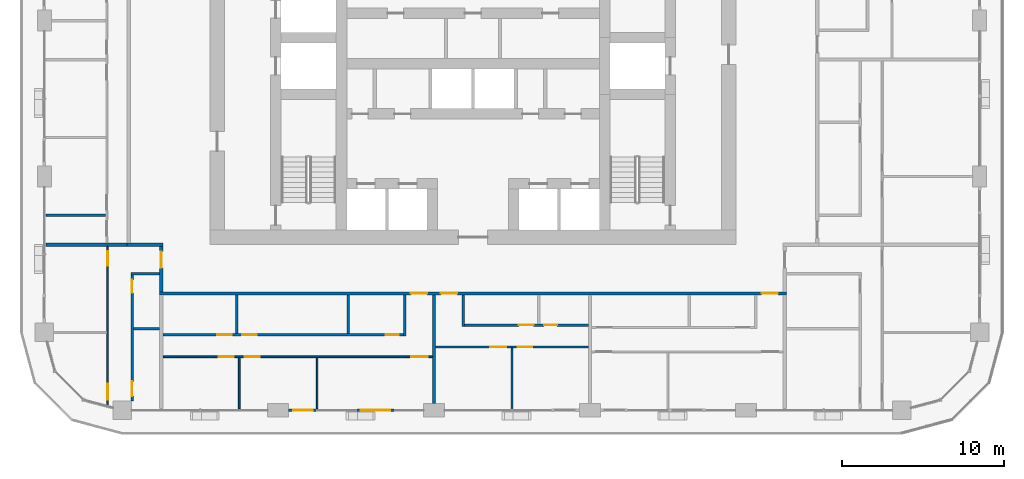
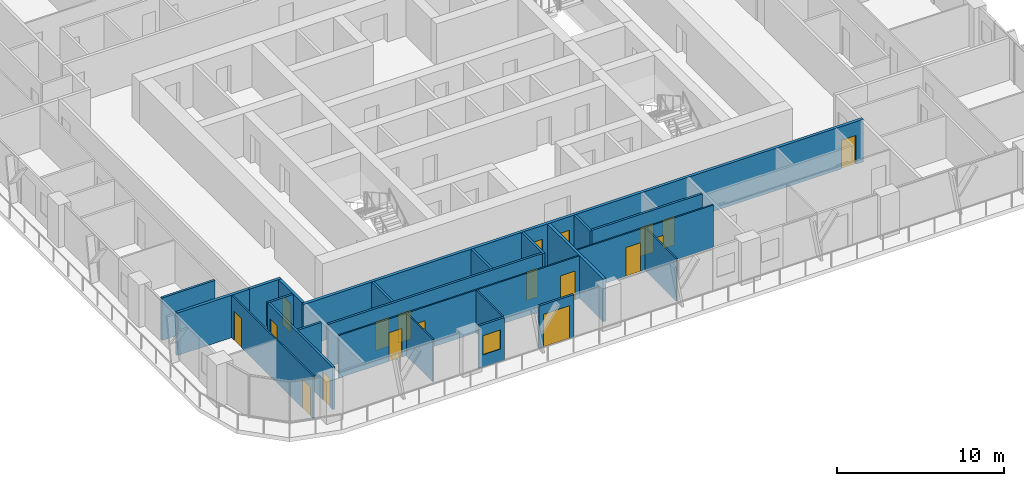
# One storey, part 9 of 21: 23 walls, 19 doors, 1 window, 20 openings.
"""IFC4 building model written with IfcOpenShell, lengths in metres."""

from ifc_helpers import new_model, si_unit, direction, frame, frame_2d, origin, place, context, subcontext, project, spatial, rectangle, extrude, material, layer, layer_set, type_object, element, fill, save


model = new_model("IFC4")

# Units and contexts
model_context = context("Model", 3, precision=1e-05, world=origin(), true_north=direction((0.0, 1.0)))
body_context = subcontext(model_context, "Body", "Model", "MODEL_VIEW")
ifc_project = project(units=[si_unit("LENGTHUNIT", "METRE"), si_unit("AREAUNIT", "SQUARE_METRE"), si_unit("VOLUMEUNIT", "CUBIC_METRE"), si_unit("PLANEANGLEUNIT", "RADIAN"), si_unit("MASSUNIT", "GRAM", prefix="KILO")], contexts=[model_context])

# Site, building, storey
site_placement = place(None, origin())
site = spatial("IfcSite", under=ifc_project, at=site_placement, CompositionType="ELEMENT")
building_placement = place(site_placement, origin())
building = spatial("IfcBuilding", under=site, at=building_placement, Name="Madar Terraces", CompositionType="ELEMENT")
storey_placement = place(building_placement, frame((0.0, 0.0, 110.199951171875)))
storey = spatial("IfcBuildingStorey", under=building, at=storey_placement, Name="L28", CompositionType="ELEMENT", Elevation=110.199951171875)

# Wall, opening, window
ifc_material_1 = material(Name="Aluminium composite panel, black, over insulated backing", Category="aluminium")
ifc_layer_1 = layer(ifc_material_1, 0.14990234375)
ifc_layer_set_1 = layer_set([ifc_layer_1], Name="Facade bay panel 150")
wall_type_1 = type_object("IfcWallType", Name="Facade bay panel 150", PredefinedType="SOLIDWALL", material=ifc_layer_set_1)
wall_1_placement = place(storey_placement, frame((19.85009765625, 4.800048828125, 0.0), z_axis=(0.0, 0.0, 1.0), x_axis=(1.0, 0.0, 0.0)))
wall_1 = element("IfcWall", 1, at=wall_1_placement, inside=storey, type_object=wall_type_1, Name="Facade bay panel", PredefinedType="SOLIDWALL", context=body_context, shape_type="SweptSolid", body=[
    extrude(rectangle(XDim=1.75, YDim=0.14990234375, at=frame_2d((0.875, 0.0))), origin(), (0.0, 0.0, 1.0), 3.10009765625),
])
opening_1_placement = place(wall_1_placement, frame((0.27490234375, 0.0, 0.89990234375)))
opening_1 = element("IfcOpeningElement", 2, at=opening_1_placement, cuts=wall_1, Name="Opening W1", PredefinedType="OPENING", context=body_context, shape_type="SweptSolid", body=[
    extrude(rectangle(XDim=1.199951171875, YDim=1.39990234375, at=frame_2d((0.60009765625, 0.699951171875))), frame((0.0, 0.0849609375, 0.0), z_axis=(0.0, -1.0, 0.0), x_axis=(1.0, 0.0, 0.0)), (0.0, 0.0, 1.0), 0.169921875),
])
ifc_material_2 = material(Name="Glass, clear, with black aluminium frame", Category="aluminium")
window_type = type_object("IfcWindowType", Name="Vent window 1200 x 1400", PartitioningType="SINGLE_PANEL", PredefinedType="WINDOW", material=ifc_material_2)
window_placement = place(opening_1_placement, origin())
window = element("IfcWindow", 3, at=window_placement, inside=storey, type_object=window_type, Name="Operable vent window", OverallHeight=1.39990234375, OverallWidth=1.199951171875, PartitioningType="SINGLE_PANEL", PredefinedType="WINDOW", context=body_context, shape_type="SweptSolid", body=[
    extrude(rectangle(XDim=1.199951171875, YDim=1.39990234375, at=frame_2d((0.60009765625, 0.699951171875))), frame((0.0, 0.030029296875, 0.0), z_axis=(0.0, -1.0, 0.0), x_axis=(1.0, 0.0, 0.0)), (0.0, 0.0, 1.0), 0.06005859375),
])
fill(opening_1, window)

# Wall, opening, door
wall_2_placement = place(storey_placement, frame((24.0, 4.800048828125, 0.0), z_axis=(0.0, 0.0, 1.0), x_axis=(1.0, 0.0, 0.0)))
wall_2 = element("IfcWall", 4, at=wall_2_placement, inside=storey, type_object=wall_type_1, Name="Facade bay panel", PredefinedType="SOLIDWALL", context=body_context, shape_type="SweptSolid", body=[
    extrude(rectangle(XDim=2.39990234375, YDim=0.14990234375, at=frame_2d((1.199951171875, 0.0))), origin(), (0.0, 0.0, 1.0), 3.10009765625),
])
opening_2_placement = place(wall_2_placement, frame((0.300048828125, 0.0, 0.0)))
opening_2 = element("IfcOpeningElement", 5, at=opening_2_placement, cuts=wall_2, Name="Opening ED1", PredefinedType="OPENING", context=body_context, shape_type="SweptSolid", body=[
    extrude(rectangle(XDim=1.800048828125, YDim=2.39990234375, at=frame_2d((0.89990234375, 1.199951171875))), frame((0.0, 0.0849609375, 0.0), z_axis=(0.0, -1.0, 0.0), x_axis=(1.0, 0.0, 0.0)), (0.0, 0.0, 1.0), 0.169921875),
])
ifc_material_3 = material(Name="Glass, clear, with black aluminium frame", Category="aluminium")
door_type_1 = type_object("IfcDoorType", Name="Balcony and terrace sliding door 1800 x 2400", OperationType="SLIDING_TO_LEFT", PredefinedType="DOOR", material=ifc_material_3)
door_1_placement = place(opening_2_placement, origin())
door_1 = element("IfcDoor", 6, at=door_1_placement, inside=storey, type_object=door_type_1, Name="Balcony door", OperationType="SLIDING_TO_LEFT", OverallHeight=2.39990234375, OverallWidth=1.800048828125, PredefinedType="DOOR", context=body_context, shape_type="SweptSolid", body=[
    extrude(rectangle(XDim=1.800048828125, YDim=2.39990234375, at=frame_2d((0.89990234375, 1.199951171875))), frame((0.0, 0.02490234375, 0.0), z_axis=(0.0, -1.0, 0.0), x_axis=(1.0, 0.0, 0.0)), (0.0, 0.0, 1.0), 0.050048828125),
])
fill(opening_2, door_1)

# Walls
ifc_material_4 = material(Name="Gypsum board on steel studs", Category="steel")
ifc_layer_2 = layer(ifc_material_4, 0.10009765625)
ifc_layer_set_2 = layer_set([ifc_layer_2], Name="Flat partition 100")
wall_type_2 = type_object("IfcWallType", Name="Flat partition 100", PredefinedType="PARTITIONING", material=ifc_layer_set_2)
for number, where, z_axis, x_axis, name in (
    (7, (21.60009765625, 8.050048828125, 0.0), (0.0, 0.0, 1.0), (0.0, -1.0, 0.0), "Flat partition 100"),
    (8, (16.800048828125, 8.050048828125, 0.0), (0.0, 0.0, 1.0), (0.0, -1.0, 0.0), "Flat partition 100"),
):
    element("IfcWall", number, at=place(storey_placement, frame(where, z_axis=z_axis, x_axis=x_axis)), inside=storey, type_object=wall_type_2, Name=name, PredefinedType="PARTITIONING", context=body_context, shape_type="SweptSolid", body=[
        extrude(rectangle(XDim=3.150146484375, YDim=0.10009765625, at=frame_2d((1.5751953125, 0.0))), origin(), (0.0, 0.0, 1.0), 3.10009765625),
    ])

# Wall, openings, doors
wall_3_placement = place(storey_placement, frame((28.699951171875, 8.10009765625, 0.0), z_axis=(0.0, 0.0, 1.0), x_axis=(-1.0, 0.0, 0.0)))
wall_3 = element("IfcWall", 9, at=wall_3_placement, inside=storey, type_object=wall_type_2, Name="Flat partition 100", PredefinedType="PARTITIONING", context=body_context, shape_type="SweptSolid", body=[
    extrude(rectangle(XDim=16.599853515625, YDim=0.10009765625, at=frame_2d((8.2998046875, 0.0))), origin(), (0.0, 0.0, 1.0), 3.10009765625),
])
opening_3_placement = place(wall_3_placement, frame((0.300048828125, 0.0, 0.0)))
opening_3 = element("IfcOpeningElement", 10, at=opening_3_placement, cuts=wall_3, Name="Opening D3", PredefinedType="OPENING", context=body_context, shape_type="SweptSolid", body=[
    extrude(rectangle(XDim=1.0, YDim=2.10009765625, at=frame_2d((0.5, 1.050048828125))), frame((0.0, 0.06005859375, 0.0), z_axis=(0.0, -1.0, 0.0), x_axis=(1.0, 0.0, 0.0)), (0.0, 0.0, 1.0), 0.1201171875),
])
opening_4_placement = place(wall_3_placement, frame((10.64990234375, 0.0, 0.0)))
opening_4 = element("IfcOpeningElement", 11, at=opening_4_placement, cuts=wall_3, Name="Opening D2", PredefinedType="OPENING", context=body_context, shape_type="SweptSolid", body=[
    extrude(rectangle(XDim=0.89990234375, YDim=2.10009765625, at=frame_2d((0.449951171875, 1.050048828125))), frame((0.0, 0.06005859375, 0.0), z_axis=(0.0, -1.0, 0.0), x_axis=(1.0, 0.0, 0.0)), (0.0, 0.0, 1.0), 0.1201171875),
])
opening_5_placement = place(wall_3_placement, frame((12.25, 0.0, 0.0)))
opening_5 = element("IfcOpeningElement", 12, at=opening_5_placement, cuts=wall_3, Name="Opening D2", PredefinedType="OPENING", context=body_context, shape_type="SweptSolid", body=[
    extrude(rectangle(XDim=0.89990234375, YDim=2.10009765625, at=frame_2d((0.449951171875, 1.050048828125))), frame((0.0, 0.06005859375, 0.0), z_axis=(0.0, -1.0, 0.0), x_axis=(1.0, 0.0, 0.0)), (0.0, 0.0, 1.0), 0.1201171875),
])
ifc_material_5 = material(Name="Timber door leaf", Category="wood")
door_type_2 = type_object("IfcDoorType", Name="Flat living room door 1000", OperationType="NOTDEFINED", PredefinedType="DOOR", material=ifc_material_5)
door_2_placement = place(opening_3_placement, origin())
door_2 = element("IfcDoor", 13, at=door_2_placement, inside=storey, type_object=door_type_2, Name="Flat living room door 1000", OperationType="SINGLE_SWING_LEFT", OverallHeight=2.10009765625, OverallWidth=1.0, PredefinedType="DOOR", context=body_context, shape_type="SweptSolid", body=[
    extrude(rectangle(XDim=1.0, YDim=2.10009765625, at=frame_2d((0.5, 1.050048828125))), frame((0.0, 0.02490234375, 0.0), z_axis=(0.0, -1.0, 0.0), x_axis=(1.0, 0.0, 0.0)), (0.0, 0.0, 1.0), 0.050048828125),
])
fill(opening_3, door_2)
ifc_material_6 = material(Name="Timber door leaf", Category="wood")
door_type_3 = type_object("IfcDoorType", Name="Flat room door 900", OperationType="NOTDEFINED", PredefinedType="DOOR", material=ifc_material_6)
door_3_placement = place(opening_4_placement, origin())
door_3 = element("IfcDoor", 14, at=door_3_placement, inside=storey, type_object=door_type_3, Name="Flat room door 900", OperationType="SINGLE_SWING_RIGHT", OverallHeight=2.10009765625, OverallWidth=0.89990234375, PredefinedType="DOOR", context=body_context, shape_type="SweptSolid", body=[
    extrude(rectangle(XDim=0.89990234375, YDim=2.10009765625, at=frame_2d((0.449951171875, 1.050048828125))), frame((0.0, 0.02490234375, 0.0), z_axis=(0.0, -1.0, 0.0), x_axis=(1.0, 0.0, 0.0)), (0.0, 0.0, 1.0), 0.050048828125),
])
fill(opening_4, door_3)
door_4_placement = place(opening_5_placement, origin())
door_4 = element("IfcDoor", 15, at=door_4_placement, inside=storey, type_object=door_type_3, Name="Flat room door 900", OperationType="SINGLE_SWING_LEFT", OverallHeight=2.10009765625, OverallWidth=0.89990234375, PredefinedType="DOOR", context=body_context, shape_type="SweptSolid", body=[
    extrude(rectangle(XDim=0.89990234375, YDim=2.10009765625, at=frame_2d((0.449951171875, 1.050048828125))), frame((0.0, 0.02490234375, 0.0), z_axis=(0.0, -1.0, 0.0), x_axis=(1.0, 0.0, 0.0)), (0.0, 0.0, 1.0), 0.050048828125),
])
fill(opening_5, door_4)

# Wall
wall_4_placement = place(storey_placement, frame((33.60009765625, 8.64990234375, 0.0), z_axis=(0.0, 0.0, 1.0), x_axis=(0.0, -1.0, 0.0)))
element("IfcWall", 16, at=wall_4_placement, inside=storey, type_object=wall_type_2, Name="Flat partition 100", PredefinedType="PARTITIONING", context=body_context, shape_type="SweptSolid", body=[
    extrude(rectangle(XDim=3.75, YDim=0.10009765625, at=frame_2d((1.875, 0.0))), origin(), (0.0, 0.0, 1.0), 3.10009765625),
])

# Wall, openings, doors
wall_5_placement = place(storey_placement, frame((38.300048828125, 8.699951171875, 0.0), z_axis=(0.0, 0.0, 1.0), x_axis=(-1.0, 0.0, 0.0)))
wall_5 = element("IfcWall", 17, at=wall_5_placement, inside=storey, type_object=wall_type_2, Name="Flat partition 100", PredefinedType="PARTITIONING", context=body_context, shape_type="SweptSolid", body=[
    extrude(rectangle(XDim=9.400146484375, YDim=0.10009765625, at=frame_2d((4.7001953125, 0.0))), origin(), (0.0, 0.0, 1.0), 3.10009765625),
])
opening_6_placement = place(wall_5_placement, frame((5.050048828125, 0.0, 0.0)))
opening_6 = element("IfcOpeningElement", 18, at=opening_6_placement, cuts=wall_5, Name="Opening D3", PredefinedType="OPENING", context=body_context, shape_type="SweptSolid", body=[
    extrude(rectangle(XDim=1.0, YDim=2.10009765625, at=frame_2d((0.5, 1.050048828125))), frame((0.0, 0.06005859375, 0.0), z_axis=(0.0, -1.0, 0.0), x_axis=(1.0, 0.0, 0.0)), (0.0, 0.0, 1.0), 0.1201171875),
])
opening_7_placement = place(wall_5_placement, frame((3.449951171875, 0.0, 0.0)))
opening_7 = element("IfcOpeningElement", 19, at=opening_7_placement, cuts=wall_5, Name="Opening D2", PredefinedType="OPENING", context=body_context, shape_type="SweptSolid", body=[
    extrude(rectangle(XDim=0.89990234375, YDim=2.10009765625, at=frame_2d((0.449951171875, 1.050048828125))), frame((0.0, 0.06005859375, 0.0), z_axis=(0.0, -1.0, 0.0), x_axis=(1.0, 0.0, 0.0)), (0.0, 0.0, 1.0), 0.1201171875),
])
door_5_placement = place(opening_6_placement, origin())
door_5 = element("IfcDoor", 20, at=door_5_placement, inside=storey, type_object=door_type_2, Name="Flat living room door 1000", OperationType="SINGLE_SWING_LEFT", OverallHeight=2.10009765625, OverallWidth=1.0, PredefinedType="DOOR", context=body_context, shape_type="SweptSolid", body=[
    extrude(rectangle(XDim=1.0, YDim=2.10009765625, at=frame_2d((0.5, 1.050048828125))), frame((0.0, 0.02490234375, 0.0), z_axis=(0.0, -1.0, 0.0), x_axis=(1.0, 0.0, 0.0)), (0.0, 0.0, 1.0), 0.050048828125),
])
fill(opening_6, door_5)
door_6_placement = place(opening_7_placement, origin())
door_6 = element("IfcDoor", 21, at=door_6_placement, inside=storey, type_object=door_type_3, Name="Flat room door 900", OperationType="SINGLE_SWING_RIGHT", OverallHeight=2.10009765625, OverallWidth=0.89990234375, PredefinedType="DOOR", context=body_context, shape_type="SweptSolid", body=[
    extrude(rectangle(XDim=0.89990234375, YDim=2.10009765625, at=frame_2d((0.449951171875, 1.050048828125))), frame((0.0, 0.02490234375, 0.0), z_axis=(0.0, -1.0, 0.0), x_axis=(1.0, 0.0, 0.0)), (0.0, 0.0, 1.0), 0.050048828125),
])
fill(opening_7, door_6)

wall_6_placement = place(storey_placement, frame((8.699951171875, 5.14111328125, 0.0), z_axis=(0.0, 0.0, 1.0), x_axis=(0.0, 1.0, 0.0)))
wall_6 = element("IfcWall", 22, at=wall_6_placement, inside=storey, type_object=wall_type_2, Name="Flat partition 100", PredefinedType="PARTITIONING", context=body_context, shape_type="SweptSolid", body=[
    extrude(rectangle(XDim=9.7587890625, YDim=0.10009765625, at=frame_2d((4.87939453125, 0.0))), origin(), (0.0, 0.0, 1.0), 3.10009765625),
])
opening_8_placement = place(wall_6_placement, frame((8.558837890625, 0.0, 0.0)))
opening_8 = element("IfcOpeningElement", 23, at=opening_8_placement, cuts=wall_6, Name="Opening D2", PredefinedType="OPENING", context=body_context, shape_type="SweptSolid", body=[
    extrude(rectangle(XDim=0.89990234375, YDim=2.10009765625, at=frame_2d((0.449951171875, 1.050048828125))), frame((0.0, 0.06005859375, 0.0), z_axis=(0.0, -1.0, 0.0), x_axis=(1.0, 0.0, 0.0)), (0.0, 0.0, 1.0), 0.1201171875),
])
opening_9_placement = place(wall_6_placement, frame((0.300048828125, 0.0, 0.0)))
opening_9 = element("IfcOpeningElement", 24, at=opening_9_placement, cuts=wall_6, Name="Opening D3", PredefinedType="OPENING", context=body_context, shape_type="SweptSolid", body=[
    extrude(rectangle(XDim=1.0, YDim=2.10009765625, at=frame_2d((0.5, 1.050048828125))), frame((0.0, 0.06005859375, 0.0), z_axis=(0.0, -1.0, 0.0), x_axis=(1.0, 0.0, 0.0)), (0.0, 0.0, 1.0), 0.1201171875),
])
door_7_placement = place(opening_9_placement, origin())
door_7 = element("IfcDoor", 25, at=door_7_placement, inside=storey, type_object=door_type_2, Name="Flat living room door 1000", OperationType="SINGLE_SWING_LEFT", OverallHeight=2.10009765625, OverallWidth=1.0, PredefinedType="DOOR", context=body_context, shape_type="SweptSolid", body=[
    extrude(rectangle(XDim=1.0, YDim=2.10009765625, at=frame_2d((0.5, 1.050048828125))), frame((0.0, 0.02490234375, 0.0), z_axis=(0.0, -1.0, 0.0), x_axis=(1.0, 0.0, 0.0)), (0.0, 0.0, 1.0), 0.050048828125),
])
fill(opening_9, door_7)
door_8_placement = place(opening_8_placement, origin())
door_8 = element("IfcDoor", 26, at=door_8_placement, inside=storey, type_object=door_type_3, Name="Flat room door 900", OperationType="SINGLE_SWING_RIGHT", OverallHeight=2.10009765625, OverallWidth=0.89990234375, PredefinedType="DOOR", context=body_context, shape_type="SweptSolid", body=[
    extrude(rectangle(XDim=0.89990234375, YDim=2.10009765625, at=frame_2d((0.449951171875, 1.050048828125))), frame((0.0, 0.02490234375, 0.0), z_axis=(0.0, -1.0, 0.0), x_axis=(1.0, 0.0, 0.0)), (0.0, 0.0, 1.0), 0.050048828125),
])
fill(opening_8, door_8)

ifc_material_7 = material(Name="Lightweight blockwork", Category="masonry")
ifc_layer_3 = layer(ifc_material_7, 0.199951171875)
ifc_layer_set_3 = layer_set([ifc_layer_3], Name="Flat party and entrance wall 200")
wall_type_3 = type_object("IfcWallType", Name="Flat party and entrance wall 200", PredefinedType="PARTITIONING", material=ifc_layer_set_3)
wall_7_placement = place(storey_placement, frame((50.5, 12.0, 0.0), z_axis=(0.0, 0.0, 1.0), x_axis=(-1.0, 0.0, 0.0)))
wall_7 = element("IfcWall", 27, at=wall_7_placement, inside=storey, type_object=wall_type_3, Name="Flat party and entrance wall 200", PredefinedType="PARTITIONING", context=body_context, shape_type="SweptSolid", body=[
    extrude(rectangle(XDim=38.60009765625, YDim=0.199951171875, at=frame_2d((19.300048828125, 0.0))), origin(), (0.0, 0.0, 1.0), 3.10009765625),
])
opening_10_placement = place(wall_7_placement, frame((22.125, 0.0, 0.0)))
opening_10 = element("IfcOpeningElement", 28, at=opening_10_placement, cuts=wall_7, Name="Opening D1", PredefinedType="OPENING", context=body_context, shape_type="SweptSolid", body=[
    extrude(rectangle(XDim=1.0, YDim=2.10009765625, at=frame_2d((0.5, 1.050048828125))), frame((0.0, 0.10986328125, 0.0), z_axis=(0.0, -1.0, 0.0), x_axis=(1.0, 0.0, 0.0)), (0.0, 0.0, 1.0), 0.219970703125),
])
opening_11_placement = place(wall_7_placement, frame((20.27490234375, 0.0, 0.0)))
opening_11 = element("IfcOpeningElement", 29, at=opening_11_placement, cuts=wall_7, Name="Opening D1", PredefinedType="OPENING", context=body_context, shape_type="SweptSolid", body=[
    extrude(rectangle(XDim=1.0, YDim=2.10009765625, at=frame_2d((0.5, 1.050048828125))), frame((0.0, 0.10986328125, 0.0), z_axis=(0.0, -1.0, 0.0), x_axis=(1.0, 0.0, 0.0)), (0.0, 0.0, 1.0), 0.219970703125),
])
opening_12_placement = place(wall_7_placement, frame((0.52490234375, 0.0, 0.0)))
opening_12 = element("IfcOpeningElement", 30, at=opening_12_placement, cuts=wall_7, Name="Opening D1", PredefinedType="OPENING", context=body_context, shape_type="SweptSolid", body=[
    extrude(rectangle(XDim=1.0, YDim=2.10009765625, at=frame_2d((0.5, 1.050048828125))), frame((0.0, 0.10986328125, 0.0), z_axis=(0.0, -1.0, 0.0), x_axis=(1.0, 0.0, 0.0)), (0.0, 0.0, 1.0), 0.219970703125),
])
ifc_material_8 = material(Name="Timber fire door leaf", Category="wood")
door_type_4 = type_object("IfcDoorType", Name="Flat entrance door 1000 FD30S", OperationType="NOTDEFINED", PredefinedType="DOOR", material=ifc_material_8)
door_9_placement = place(opening_10_placement, origin())
door_9 = element("IfcDoor", 31, at=door_9_placement, inside=storey, type_object=door_type_4, Name="Flat entrance door 1000 FD30S", OperationType="SINGLE_SWING_LEFT", OverallHeight=2.10009765625, OverallWidth=1.0, PredefinedType="DOOR", context=body_context, shape_type="SweptSolid", body=[
    extrude(rectangle(XDim=1.0, YDim=2.10009765625, at=frame_2d((0.5, 1.050048828125))), frame((0.0, 0.02490234375, 0.0), z_axis=(0.0, -1.0, 0.0), x_axis=(1.0, 0.0, 0.0)), (0.0, 0.0, 1.0), 0.050048828125),
])
fill(opening_10, door_9)
door_10_placement = place(opening_11_placement, origin())
door_10 = element("IfcDoor", 32, at=door_10_placement, inside=storey, type_object=door_type_4, Name="Flat entrance door 1000 FD30S", OperationType="SINGLE_SWING_RIGHT", OverallHeight=2.10009765625, OverallWidth=1.0, PredefinedType="DOOR", context=body_context, shape_type="SweptSolid", body=[
    extrude(rectangle(XDim=1.0, YDim=2.10009765625, at=frame_2d((0.5, 1.050048828125))), frame((0.0, 0.02490234375, 0.0), z_axis=(0.0, -1.0, 0.0), x_axis=(1.0, 0.0, 0.0)), (0.0, 0.0, 1.0), 0.050048828125),
])
fill(opening_11, door_10)
door_11_placement = place(opening_12_placement, origin())
door_11 = element("IfcDoor", 33, at=door_11_placement, inside=storey, type_object=door_type_4, Name="Flat entrance door 1000 FD30S", OperationType="SINGLE_SWING_LEFT", OverallHeight=2.10009765625, OverallWidth=1.0, PredefinedType="DOOR", context=body_context, shape_type="SweptSolid", body=[
    extrude(rectangle(XDim=1.0, YDim=2.10009765625, at=frame_2d((0.5, 1.050048828125))), frame((0.0, 0.02490234375, 0.0), z_axis=(0.0, -1.0, 0.0), x_axis=(1.0, 0.0, 0.0)), (0.0, 0.0, 1.0), 0.050048828125),
])
fill(opening_12, door_11)

# Wall
wall_8_placement = place(storey_placement, frame((9.89990234375, 15.0, 0.0), z_axis=(0.0, 0.0, 1.0), x_axis=(1.0, 0.0, 0.0)))
element("IfcWall", 34, at=wall_8_placement, inside=storey, type_object=wall_type_3, Name="Flat party and entrance wall 200", PredefinedType="PARTITIONING", context=body_context, shape_type="SweptSolid", body=[
    extrude(rectangle(XDim=2.2001953125, YDim=0.199951171875, at=frame_2d((1.10009765625, 0.0))), origin(), (0.0, 0.0, 1.0), 3.10009765625),
])

# Wall, opening, door
wall_9_placement = place(storey_placement, frame((12.0, 12.10009765625, 0.0), z_axis=(0.0, 0.0, 1.0), x_axis=(0.0, 1.0, 0.0)))
wall_9 = element("IfcWall", 35, at=wall_9_placement, inside=storey, type_object=wall_type_3, Name="Flat party and entrance wall 200", PredefinedType="PARTITIONING", context=body_context, shape_type="SweptSolid", body=[
    extrude(rectangle(XDim=2.7998046875, YDim=0.199951171875, at=frame_2d((1.39990234375, 0.0))), origin(), (0.0, 0.0, 1.0), 3.10009765625),
])
opening_13_placement = place(wall_9_placement, frame((1.47509765625, 0.0, 0.0)))
opening_13 = element("IfcOpeningElement", 36, at=opening_13_placement, cuts=wall_9, Name="Opening D1", PredefinedType="OPENING", context=body_context, shape_type="SweptSolid", body=[
    extrude(rectangle(XDim=1.0, YDim=2.10009765625, at=frame_2d((0.5, 1.050048828125))), frame((0.0, 0.10986328125, 0.0), z_axis=(0.0, -1.0, 0.0), x_axis=(1.0, 0.0, 0.0)), (0.0, 0.0, 1.0), 0.219970703125),
])
door_12_placement = place(opening_13_placement, origin())
door_12 = element("IfcDoor", 37, at=door_12_placement, inside=storey, type_object=door_type_4, Name="Flat entrance door 1000 FD30S", OperationType="SINGLE_SWING_RIGHT", OverallHeight=2.10009765625, OverallWidth=1.0, PredefinedType="DOOR", context=body_context, shape_type="SweptSolid", body=[
    extrude(rectangle(XDim=1.0, YDim=2.10009765625, at=frame_2d((0.5, 1.050048828125))), frame((0.0, 0.02490234375, 0.0), z_axis=(0.0, -1.0, 0.0), x_axis=(1.0, 0.0, 0.0)), (0.0, 0.0, 1.0), 0.050048828125),
])
fill(opening_13, door_12)

# Walls
wall_10_placement = place(storey_placement, frame((28.800048828125, 11.89990234375, 0.0), z_axis=(0.0, 0.0, 1.0), x_axis=(0.0, -1.0, 0.0)))
element("IfcWall", 38, at=wall_10_placement, inside=storey, type_object=wall_type_3, Name="Flat party and entrance wall 200", PredefinedType="PARTITIONING", context=body_context, shape_type="SweptSolid", body=[
    extrude(rectangle(XDim=6.6748046875, YDim=0.199951171875, at=frame_2d((3.33740234375, 0.0))), origin(), (0.0, 0.0, 1.0), 3.10009765625),
])
wall_11_placement = place(storey_placement, frame((4.89990234375, 15.0, 0.0), z_axis=(0.0, 0.0, 1.0), x_axis=(1.0, 0.0, 0.0)))
element("IfcWall", 39, at=wall_11_placement, inside=storey, type_object=wall_type_3, Name="Flat party and entrance wall 200", PredefinedType="PARTITIONING", context=body_context, shape_type="SweptSolid", body=[
    extrude(rectangle(XDim=5.0, YDim=0.199951171875, at=frame_2d((2.5, 0.0))), origin(), (0.0, 0.0, 1.0), 3.10009765625),
])
ifc_material_9 = material(Name="Lightweight blockwork", Category="masonry")
ifc_layer_4 = layer(ifc_material_9, 0.14990234375)
ifc_layer_set_4 = layer_set([ifc_layer_4], Name="Flat wet-room partition 150")
wall_type_4 = type_object("IfcWallType", Name="Flat wet-room partition 150", PredefinedType="PARTITIONING", material=ifc_layer_set_4)
for number, where, z_axis, x_axis, name in (
    (40, (23.50390625, 11.89990234375, 0.0), (0.0, 0.0, 1.0), (0.0, -1.0, 0.0), "Flat wet-room partition 150"),
    (41, (16.66162109375, 11.89990234375, 0.0), (0.0, 0.0, 1.0), (0.0, -1.0, 0.0), "Flat wet-room partition 150"),
):
    element("IfcWall", number, at=place(storey_placement, frame(where, z_axis=z_axis, x_axis=x_axis)), inside=storey, type_object=wall_type_4, Name=name, PredefinedType="PARTITIONING", context=body_context, shape_type="SweptSolid", body=[
        extrude(rectangle(XDim=2.375, YDim=0.14990234375, at=frame_2d((1.1875, 0.0))), origin(), (0.0, 0.0, 1.0), 3.10009765625),
    ])
wall_12_placement = place(storey_placement, frame((27.0, 11.89990234375, 0.0), z_axis=(0.0, 0.0, 1.0), x_axis=(0.0, -1.0, 0.0)))
element("IfcWall", 42, at=wall_12_placement, inside=storey, type_object=wall_type_4, Name="Flat wet-room partition 150", PredefinedType="PARTITIONING", context=body_context, shape_type="SweptSolid", body=[
    extrude(rectangle(XDim=2.52490234375, YDim=0.14990234375, at=frame_2d((1.262451171875, 0.0))), origin(), (0.0, 0.0, 1.0), 3.10009765625),
])

# Wall, openings, doors
wall_13_placement = place(storey_placement, frame((12.10009765625, 9.449951171875, 0.0), z_axis=(0.0, 0.0, 1.0), x_axis=(1.0, 0.0, 0.0)))
wall_13 = element("IfcWall", 43, at=wall_13_placement, inside=storey, type_object=wall_type_4, Name="Flat wet-room partition 150", PredefinedType="PARTITIONING", context=body_context, shape_type="SweptSolid", body=[
    extrude(rectangle(XDim=14.824951171875, YDim=0.14990234375, at=frame_2d((7.41259765625, 0.0))), origin(), (0.0, 0.0, 1.0), 3.10009765625),
])
opening_14_placement = place(wall_13_placement, frame((13.72509765625, 0.0, 0.0)))
opening_14 = element("IfcOpeningElement", 44, at=opening_14_placement, cuts=wall_13, Name="Opening D4", PredefinedType="OPENING", context=body_context, shape_type="SweptSolid", body=[
    extrude(rectangle(XDim=0.800048828125, YDim=2.10009765625, at=frame_2d((0.39990234375, 1.050048828125))), frame((0.0, 0.0849609375, 0.0), z_axis=(0.0, -1.0, 0.0), x_axis=(1.0, 0.0, 0.0)), (0.0, 0.0, 1.0), 0.169921875),
])
opening_15_placement = place(wall_13_placement, frame((4.886474609375, 0.0, 0.0)))
opening_15 = element("IfcOpeningElement", 45, at=opening_15_placement, cuts=wall_13, Name="Opening D2", PredefinedType="OPENING", context=body_context, shape_type="SweptSolid", body=[
    extrude(rectangle(XDim=0.89990234375, YDim=2.10009765625, at=frame_2d((0.449951171875, 1.050048828125))), frame((0.0, 0.0849609375, 0.0), z_axis=(0.0, -1.0, 0.0), x_axis=(1.0, 0.0, 0.0)), (0.0, 0.0, 1.0), 0.169921875),
])
opening_16_placement = place(wall_13_placement, frame((3.33642578125, 0.0, 0.0)))
opening_16 = element("IfcOpeningElement", 46, at=opening_16_placement, cuts=wall_13, Name="Opening D5", PredefinedType="OPENING", context=body_context, shape_type="SweptSolid", body=[
    extrude(rectangle(XDim=0.89990234375, YDim=2.10009765625, at=frame_2d((0.449951171875, 1.050048828125))), frame((0.0, 0.0849609375, 0.0), z_axis=(0.0, -1.0, 0.0), x_axis=(1.0, 0.0, 0.0)), (0.0, 0.0, 1.0), 0.169921875),
])
ifc_material_10 = material(Name="Timber door leaf", Category="wood")
door_type_5 = type_object("IfcDoorType", Name="Flat accessible bathroom door 900", OperationType="NOTDEFINED", PredefinedType="DOOR", material=ifc_material_10)
door_13_placement = place(opening_16_placement, origin())
door_13 = element("IfcDoor", 47, at=door_13_placement, inside=storey, type_object=door_type_5, Name="Flat accessible bathroom door 900", OperationType="SINGLE_SWING_RIGHT", OverallHeight=2.10009765625, OverallWidth=0.89990234375, PredefinedType="DOOR", context=body_context, shape_type="SweptSolid", body=[
    extrude(rectangle(XDim=0.89990234375, YDim=2.10009765625, at=frame_2d((0.449951171875, 1.050048828125))), frame((0.0, 0.02490234375, 0.0), z_axis=(0.0, -1.0, 0.0), x_axis=(1.0, 0.0, 0.0)), (0.0, 0.0, 1.0), 0.050048828125),
])
fill(opening_16, door_13)
ifc_material_11 = material(Name="Timber door leaf", Category="wood")
door_type_6 = type_object("IfcDoorType", Name="Flat bathroom door 800", OperationType="NOTDEFINED", PredefinedType="DOOR", material=ifc_material_11)
door_14_placement = place(opening_14_placement, origin())
door_14 = element("IfcDoor", 48, at=door_14_placement, inside=storey, type_object=door_type_6, Name="Flat bathroom door 800", OperationType="SINGLE_SWING_RIGHT", OverallHeight=2.10009765625, OverallWidth=0.800048828125, PredefinedType="DOOR", context=body_context, shape_type="SweptSolid", body=[
    extrude(rectangle(XDim=0.800048828125, YDim=2.10009765625, at=frame_2d((0.39990234375, 1.050048828125))), frame((0.0, 0.02490234375, 0.0), z_axis=(0.0, -1.0, 0.0), x_axis=(1.0, 0.0, 0.0)), (0.0, 0.0, 1.0), 0.050048828125),
])
fill(opening_14, door_14)
door_15_placement = place(opening_15_placement, origin())
door_15 = element("IfcDoor", 49, at=door_15_placement, inside=storey, type_object=door_type_3, Name="Flat room door 900", OperationType="SINGLE_SWING_LEFT", OverallHeight=2.10009765625, OverallWidth=0.89990234375, PredefinedType="DOOR", context=body_context, shape_type="SweptSolid", body=[
    extrude(rectangle(XDim=0.89990234375, YDim=2.10009765625, at=frame_2d((0.449951171875, 1.050048828125))), frame((0.0, 0.02490234375, 0.0), z_axis=(0.0, -1.0, 0.0), x_axis=(1.0, 0.0, 0.0)), (0.0, 0.0, 1.0), 0.050048828125),
])
fill(opening_15, door_15)

# Wall
wall_14_placement = place(storey_placement, frame((30.60009765625, 11.89990234375, 0.0), z_axis=(0.0, 0.0, 1.0), x_axis=(0.0, -1.0, 0.0)))
element("IfcWall", 50, at=wall_14_placement, inside=storey, type_object=wall_type_4, Name="Flat wet-room partition 150", PredefinedType="PARTITIONING", context=body_context, shape_type="SweptSolid", body=[
    extrude(rectangle(XDim=1.9248046875, YDim=0.14990234375, at=frame_2d((0.96240234375, 0.0))), origin(), (0.0, 0.0, 1.0), 3.10009765625),
])

# Wall, openings, doors
wall_15_placement = place(storey_placement, frame((30.675048828125, 10.050048828125, 0.0), z_axis=(0.0, 0.0, 1.0), x_axis=(1.0, 0.0, 0.0)))
wall_15 = element("IfcWall", 51, at=wall_15_placement, inside=storey, type_object=wall_type_4, Name="Flat wet-room partition 150", PredefinedType="PARTITIONING", context=body_context, shape_type="SweptSolid", body=[
    extrude(rectangle(XDim=7.625, YDim=0.14990234375, at=frame_2d((3.8125, 0.0))), origin(), (0.0, 0.0, 1.0), 3.10009765625),
])
opening_17_placement = place(wall_15_placement, frame((3.35009765625, 0.0, 0.0)))
opening_17 = element("IfcOpeningElement", 52, at=opening_17_placement, cuts=wall_15, Name="Opening D2", PredefinedType="OPENING", context=body_context, shape_type="SweptSolid", body=[
    extrude(rectangle(XDim=0.89990234375, YDim=2.10009765625, at=frame_2d((0.449951171875, 1.050048828125))), frame((0.0, 0.0849609375, 0.0), z_axis=(0.0, -1.0, 0.0), x_axis=(1.0, 0.0, 0.0)), (0.0, 0.0, 1.0), 0.169921875),
])
opening_18_placement = place(wall_15_placement, frame((4.89990234375, 0.0, 0.0)))
opening_18 = element("IfcOpeningElement", 53, at=opening_18_placement, cuts=wall_15, Name="Opening D4", PredefinedType="OPENING", context=body_context, shape_type="SweptSolid", body=[
    extrude(rectangle(XDim=0.800048828125, YDim=2.10009765625, at=frame_2d((0.39990234375, 1.050048828125))), frame((0.0, 0.0849609375, 0.0), z_axis=(0.0, -1.0, 0.0), x_axis=(1.0, 0.0, 0.0)), (0.0, 0.0, 1.0), 0.169921875),
])
door_16_placement = place(opening_18_placement, origin())
door_16 = element("IfcDoor", 54, at=door_16_placement, inside=storey, type_object=door_type_6, Name="Flat bathroom door 800", OperationType="SINGLE_SWING_LEFT", OverallHeight=2.10009765625, OverallWidth=0.800048828125, PredefinedType="DOOR", context=body_context, shape_type="SweptSolid", body=[
    extrude(rectangle(XDim=0.800048828125, YDim=2.10009765625, at=frame_2d((0.39990234375, 1.050048828125))), frame((0.0, 0.02490234375, 0.0), z_axis=(0.0, -1.0, 0.0), x_axis=(1.0, 0.0, 0.0)), (0.0, 0.0, 1.0), 0.050048828125),
])
fill(opening_18, door_16)
door_17_placement = place(opening_17_placement, origin())
door_17 = element("IfcDoor", 55, at=door_17_placement, inside=storey, type_object=door_type_3, Name="Flat room door 900", OperationType="SINGLE_SWING_RIGHT", OverallHeight=2.10009765625, OverallWidth=0.89990234375, PredefinedType="DOOR", context=body_context, shape_type="SweptSolid", body=[
    extrude(rectangle(XDim=0.89990234375, YDim=2.10009765625, at=frame_2d((0.449951171875, 1.050048828125))), frame((0.0, 0.02490234375, 0.0), z_axis=(0.0, -1.0, 0.0), x_axis=(1.0, 0.0, 0.0)), (0.0, 0.0, 1.0), 0.050048828125),
])
fill(opening_17, door_17)

# Walls
wall_16_placement = place(storey_placement, frame((8.574951171875, 16.800048828125, 0.0), z_axis=(0.0, 0.0, 1.0), x_axis=(-1.0, 0.0, 0.0)))
element("IfcWall", 56, at=wall_16_placement, inside=storey, type_object=wall_type_4, Name="Flat wet-room partition 150", PredefinedType="PARTITIONING", context=body_context, shape_type="SweptSolid", body=[
    extrude(rectangle(XDim=3.675048828125, YDim=0.14990234375, at=frame_2d((1.83740234375, 0.0))), origin(), (0.0, 0.0, 1.0), 3.10009765625),
])
wall_17_placement = place(storey_placement, frame((11.89990234375, 9.8349609375, 0.0), z_axis=(0.0, 0.0, 1.0), x_axis=(-1.0, 0.0, 0.0)))
element("IfcWall", 57, at=wall_17_placement, inside=storey, type_object=wall_type_4, Name="Flat wet-room partition 150", PredefinedType="PARTITIONING", context=body_context, shape_type="SweptSolid", body=[
    extrude(rectangle(XDim=1.625, YDim=0.14990234375, at=frame_2d((0.8125, 0.0))), origin(), (0.0, 0.0, 1.0), 3.10009765625),
])
wall_18_placement = place(storey_placement, frame((11.89990234375, 13.199951171875, 0.0), z_axis=(0.0, 0.0, 1.0), x_axis=(-1.0, 0.0, 0.0)))
element("IfcWall", 58, at=wall_18_placement, inside=storey, type_object=wall_type_4, Name="Flat wet-room partition 150", PredefinedType="PARTITIONING", context=body_context, shape_type="SweptSolid", body=[
    extrude(rectangle(XDim=1.77490234375, YDim=0.14990234375, at=frame_2d((0.887451171875, 0.0))), origin(), (0.0, 0.0, 1.0), 3.10009765625),
])

# Wall, openings, doors
wall_19_placement = place(storey_placement, frame((10.199951171875, 13.125, 0.0), z_axis=(0.0, 0.0, 1.0), x_axis=(0.0, -1.0, 0.0)))
wall_19 = element("IfcWall", 59, at=wall_19_placement, inside=storey, type_object=wall_type_4, Name="Flat wet-room partition 150", PredefinedType="PARTITIONING", context=body_context, shape_type="SweptSolid", body=[
    extrude(rectangle(XDim=7.75, YDim=0.14990234375, at=frame_2d((3.875, 0.0))), origin(), (0.0, 0.0, 1.0), 3.10009765625),
])
opening_19_placement = place(wall_19_placement, frame((0.300048828125, 0.0, 0.0)))
opening_19 = element("IfcOpeningElement", 60, at=opening_19_placement, cuts=wall_19, Name="Opening D4", PredefinedType="OPENING", context=body_context, shape_type="SweptSolid", body=[
    extrude(rectangle(XDim=0.800048828125, YDim=2.10009765625, at=frame_2d((0.39990234375, 1.050048828125))), frame((0.0, 0.0849609375, 0.0), z_axis=(0.0, -1.0, 0.0), x_axis=(1.0, 0.0, 0.0)), (0.0, 0.0, 1.0), 0.169921875),
])
opening_20_placement = place(wall_19_placement, frame((6.550048828125, 0.0, 0.0)))
opening_20 = element("IfcOpeningElement", 61, at=opening_20_placement, cuts=wall_19, Name="Opening D2", PredefinedType="OPENING", context=body_context, shape_type="SweptSolid", body=[
    extrude(rectangle(XDim=0.89990234375, YDim=2.10009765625, at=frame_2d((0.449951171875, 1.050048828125))), frame((0.0, 0.0849609375, 0.0), z_axis=(0.0, -1.0, 0.0), x_axis=(1.0, 0.0, 0.0)), (0.0, 0.0, 1.0), 0.169921875),
])
door_18_placement = place(opening_19_placement, origin())
door_18 = element("IfcDoor", 62, at=door_18_placement, inside=storey, type_object=door_type_6, Name="Flat bathroom door 800", OperationType="SINGLE_SWING_LEFT", OverallHeight=2.10009765625, OverallWidth=0.800048828125, PredefinedType="DOOR", context=body_context, shape_type="SweptSolid", body=[
    extrude(rectangle(XDim=0.800048828125, YDim=2.10009765625, at=frame_2d((0.39990234375, 1.050048828125))), frame((0.0, 0.02490234375, 0.0), z_axis=(0.0, -1.0, 0.0), x_axis=(1.0, 0.0, 0.0)), (0.0, 0.0, 1.0), 0.050048828125),
])
fill(opening_19, door_18)
door_19_placement = place(opening_20_placement, origin())
door_19 = element("IfcDoor", 63, at=door_19_placement, inside=storey, type_object=door_type_3, Name="Flat room door 900", OperationType="SINGLE_SWING_RIGHT", OverallHeight=2.10009765625, OverallWidth=0.89990234375, PredefinedType="DOOR", context=body_context, shape_type="SweptSolid", body=[
    extrude(rectangle(XDim=0.89990234375, YDim=2.10009765625, at=frame_2d((0.449951171875, 1.050048828125))), frame((0.0, 0.02490234375, 0.0), z_axis=(0.0, -1.0, 0.0), x_axis=(1.0, 0.0, 0.0)), (0.0, 0.0, 1.0), 0.050048828125),
])
fill(opening_20, door_19)

save(model, "model.ifc")
